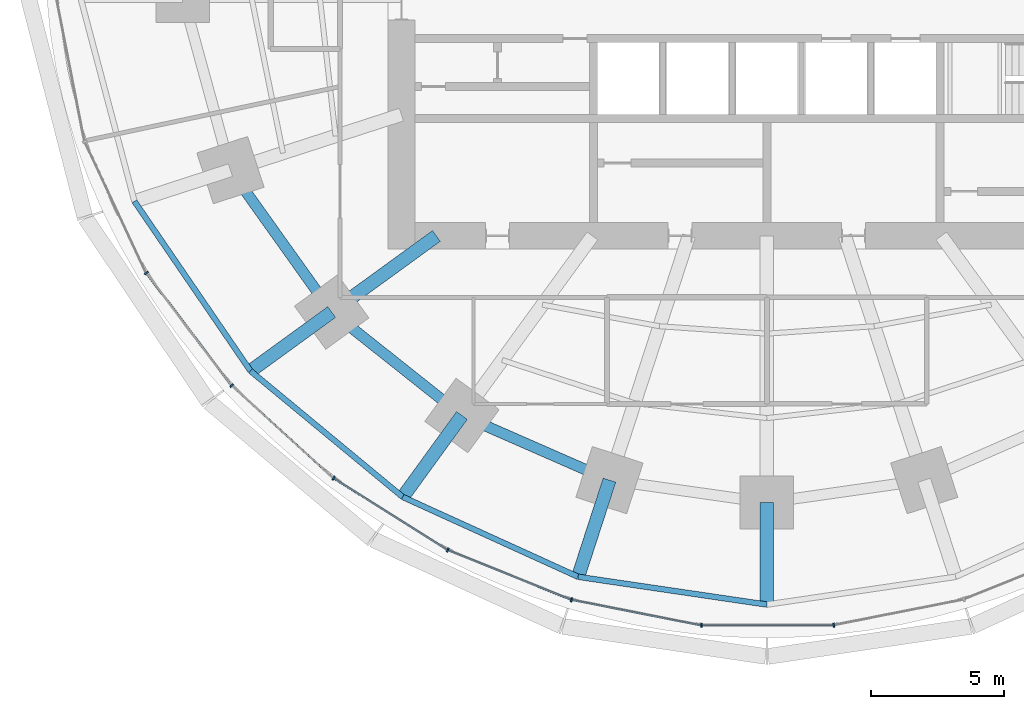
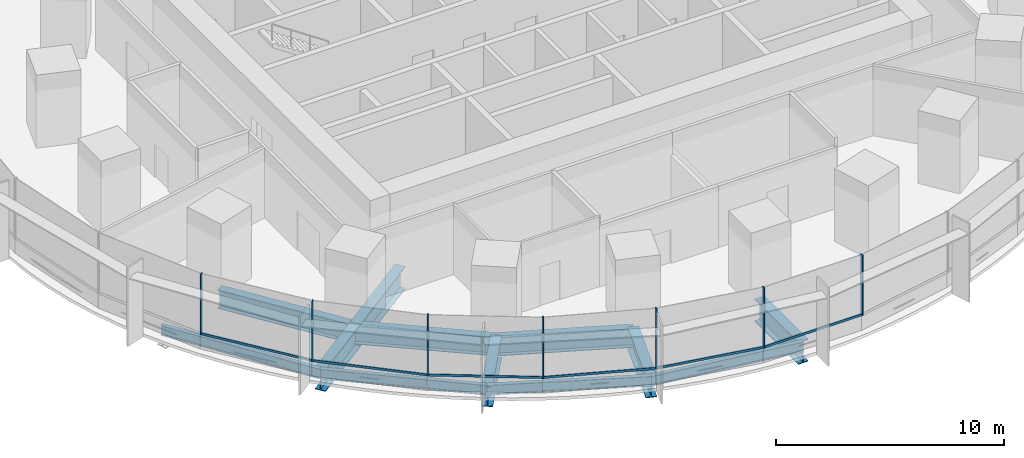
# One storey, part 2 of 15: 13 members, 12 beams, 2 elements without a shape of their own.
"""IFC4 building model written with IfcOpenShell, lengths in metres."""

from ifc_helpers import new_model, si_unit, direction, frame, origin, origin_2d, place, context, subcontext, project, spatial, rectangle, i_section, extrude, material, material_profile, profile_set, type_object, element, aggregate, save


model = new_model("IFC4")

# Units and contexts
model_context = context("Model", 3, precision=1e-05, world=origin(), true_north=direction((0.0, 1.0)))
body_context = subcontext(model_context, "Body", "Model", "MODEL_VIEW")
ifc_project = project(units=[si_unit("LENGTHUNIT", "METRE"), si_unit("AREAUNIT", "SQUARE_METRE"), si_unit("VOLUMEUNIT", "CUBIC_METRE"), si_unit("PLANEANGLEUNIT", "RADIAN"), si_unit("MASSUNIT", "GRAM", prefix="KILO")], contexts=[model_context])

# Site, building, storey
site_placement = place(None, origin())
site = spatial("IfcSite", under=ifc_project, at=site_placement, CompositionType="ELEMENT")
building_placement = place(site_placement, origin())
building = spatial("IfcBuilding", under=site, at=building_placement, Name="Marramba Exchange Tower", CompositionType="ELEMENT")
storey_placement = place(building_placement, frame((0.0, 0.0, 44.800048828125)))
storey = spatial("IfcBuildingStorey", under=building, at=storey_placement, Name="L10", CompositionType="ELEMENT", Elevation=44.800048828125)

# Beams
ifc_material_1 = material(Name="Steel AS/NZS 3679.2 grade 300", Category="steel")
ifc_material_profile_1 = material_profile(ifc_material_1, i_section(OverallWidth=0.5, OverallDepth=1.199951171875, WebThickness=0.01611328125, FlangeThickness=0.0400390625, at=origin_2d()), Name="1200WB455")
ifc_profile_set_1 = profile_set([ifc_material_profile_1], Name="Steel AS/NZS 3679.2 grade 300")
beam_type_1 = type_object("IfcBeamType", Name="Cantilever girder 1200WB455", PredefinedType="BEAM", material=ifc_profile_set_1)
beam_1_placement = place(storey_placement, frame((-16.3154296875, -11.853759765625, -0.760009765625), z_axis=(-0.809008346081, -0.587797155463, 0.0), x_axis=(0.587797155463, -0.809008346081, 0.0)))
element("IfcBeam", 1, at=beam_1_placement, inside=storey, type_object=beam_type_1, Name="Cantilever girder L10 TC13", PredefinedType="BEAM", context=body_context, shape_type="SweptSolid", body=[
    extrude(i_section(OverallWidth=0.5, OverallDepth=1.199951171875, WebThickness=0.01611328125, FlangeThickness=0.0400390625, at=origin_2d()), origin(), (0.0, 0.0, 1.0), 3.76025390625),
])
beam_2_placement = place(storey_placement, frame((-11.430419921875, -15.732666015625, -0.760009765625), z_axis=(-0.587787232741, -0.809015555491, 0.0), x_axis=(0.809015555491, -0.587787232741, 0.0)))
element("IfcBeam", 2, at=beam_2_placement, inside=storey, type_object=beam_type_1, Name="Cantilever girder L10 TC14", PredefinedType="BEAM", context=body_context, shape_type="SweptSolid", body=[
    extrude(i_section(OverallWidth=0.5, OverallDepth=1.199951171875, WebThickness=0.01611328125, FlangeThickness=0.0400390625, at=origin_2d()), origin(), (0.0, 0.0, 1.0), 3.7763671875),
])
beam_3_placement = place(storey_placement, frame((-5.899658203125, -18.156982421875, -0.760009765625), z_axis=(-0.309009272901, -0.951059025119, 0.0), x_axis=(0.951059025119, -0.309009272901, 0.0)))
element("IfcBeam", 3, at=beam_3_placement, inside=storey, type_object=beam_type_1, Name="Cantilever girder L10 TC15", PredefinedType="BEAM", context=body_context, shape_type="SweptSolid", body=[
    extrude(i_section(OverallWidth=0.5, OverallDepth=1.199951171875, WebThickness=0.01611328125, FlangeThickness=0.0400390625, at=origin_2d()), origin(), (0.0, 0.0, 1.0), 3.809814453125),
])
beam_4_placement = place(storey_placement, frame((0.0, -18.99609375, -0.760009765625), z_axis=(0.0, -1.0, 0.0), x_axis=(1.0, 0.0, 0.0)))
element("IfcBeam", 4, at=beam_4_placement, inside=storey, type_object=beam_type_1, Name="Cantilever girder L10 TC16", PredefinedType="BEAM", context=body_context, shape_type="SweptSolid", body=[
    extrude(i_section(OverallWidth=0.5, OverallDepth=1.199951171875, WebThickness=0.01611328125, FlangeThickness=0.0400390625, at=origin_2d()), origin(), (0.0, 0.0, 1.0), 3.825927734375),
])
ifc_material_profile_2 = material_profile(ifc_material_1, i_section(OverallWidth=0.5, OverallDepth=1.199951171875, WebThickness=0.01611328125, FlangeThickness=0.0400390625, at=origin_2d()), Name="1200WB455")
ifc_profile_set_2 = profile_set([ifc_material_profile_2], Name="Steel AS/NZS 3679.2 grade 300")
beam_type_2 = type_object("IfcBeamType", Name="Radial girder 1200WB455", PredefinedType="BEAM", material=ifc_profile_set_2)
beam_5_placement = place(storey_placement, frame((-12.387451171875, -9.0, -0.760009765625), z_axis=(-0.809025189606, -0.58777397236, 0.0), x_axis=(0.58777397236, -0.809025189606, 0.0)))
element("IfcBeam", 5, at=beam_5_placement, inside=storey, type_object=beam_type_2, Name="Radial girder L10 TC13", PredefinedType="BEAM", context=body_context, shape_type="SweptSolid", body=[
    extrude(i_section(OverallWidth=0.5, OverallDepth=1.199951171875, WebThickness=0.01611328125, FlangeThickness=0.0400390625, at=origin_2d()), origin(), (0.0, 0.0, 1.0), 4.855224609375),
])
ifc_material_profile_3 = material_profile(ifc_material_1, i_section(OverallWidth=0.39990234375, OverallDepth=1.0, WebThickness=0.01611328125, FlangeThickness=0.031982421875, at=origin_2d()), Name="1000WB322")
ifc_profile_set_3 = profile_set([ifc_material_profile_3], Name="Steel AS/NZS 3679.2 grade 300")
beam_type_3 = type_object("IfcBeamType", Name="Ring beam 1000WB322", PredefinedType="SPANDREL", material=ifc_profile_set_3)
beam_6_placement = place(storey_placement, frame((-20.109375, -6.533935546875, -0.66015625), z_axis=(0.580637181111, -0.814162430914, 0.0), x_axis=(0.814162430914, 0.580637181111, 0.0)))
element("IfcBeam", 6, at=beam_6_placement, inside=storey, type_object=beam_type_3, Name="Ring beam L10 TC12-TC13", PredefinedType="SPANDREL", context=body_context, shape_type="SweptSolid", body=[
    extrude(i_section(OverallWidth=0.39990234375, OverallDepth=1.0, WebThickness=0.01611328125, FlangeThickness=0.031982421875, at=origin_2d()), origin(), (0.0, 0.0, 1.0), 6.5341796875),
])
beam_7_placement = place(storey_placement, frame((-16.3154296875, -11.853759765625, -0.66015625), z_axis=(0.783139438128, -0.621846138887, 0.0), x_axis=(0.621846138887, 0.783139438128, 0.0)))
element("IfcBeam", 7, at=beam_7_placement, inside=storey, type_object=beam_type_3, Name="Ring beam L10 TC13-TC14", PredefinedType="SPANDREL", context=body_context, shape_type="SweptSolid", body=[
    extrude(i_section(OverallWidth=0.39990234375, OverallDepth=1.0, WebThickness=0.01611328125, FlangeThickness=0.031982421875, at=origin_2d()), origin(), (0.0, 0.0, 1.0), 6.23779296875),
])
beam_8_placement = place(storey_placement, frame((-11.430419921875, -15.732666015625, -0.66015625), z_axis=(0.915876892158, -0.4014592363, 0.0), x_axis=(0.4014592363, 0.915876892158, 0.0)))
element("IfcBeam", 8, at=beam_8_placement, inside=storey, type_object=beam_type_3, Name="Ring beam L10 TC14-TC15", PredefinedType="SPANDREL", context=body_context, shape_type="SweptSolid", body=[
    extrude(i_section(OverallWidth=0.39990234375, OverallDepth=1.0, WebThickness=0.01611328125, FlangeThickness=0.031982421875, at=origin_2d()), origin(), (0.0, 0.0, 1.0), 6.038818359375),
])
ifc_material_2 = material(Name="Steel AS/NZS 3679.1 grade 300", Category="steel")
ifc_material_profile_4 = material_profile(ifc_material_2, i_section(OverallWidth=0.208984375, OverallDepth=0.528076171875, WebThickness=0.009521484375, FlangeThickness=0.01318359375, FilletRadius=0.013916015625, at=origin_2d()), Name="530UB82.0")
ifc_profile_set_4 = profile_set([ifc_material_profile_4], Name="Steel AS/NZS 3679.1 grade 300")
beam_type_4 = type_object("IfcBeamType", Name="Slab edge beam 530UB82.0", PredefinedType="SPANDREL", material=ifc_profile_set_4)
beam_9_placement = place(storey_placement, frame((-23.709716796875, -7.703857421875, -0.424072265625), z_axis=(0.564740697285, -0.82526840775, 0.0), x_axis=(0.82526840775, 0.564740697285, 0.0)))
element("IfcBeam", 9, at=beam_9_placement, inside=storey, type_object=beam_type_4, Name="Slab edge beam L10 TC12-TC13", PredefinedType="SPANDREL", context=body_context, shape_type="SweptSolid", body=[
    extrude(i_section(OverallWidth=0.208984375, OverallDepth=0.528076171875, WebThickness=0.009521484375, FlangeThickness=0.01318359375, FilletRadius=0.013916015625, at=origin_2d()), origin(), (0.0, 0.0, 1.0), 7.706787109375),
])
beam_10_placement = place(storey_placement, frame((-19.357421875, -14.06396484375, -0.424072265625), z_axis=(0.770353575372, -0.637616945283, 0.0), x_axis=(0.637616945283, 0.770353575372, 0.0)))
element("IfcBeam", 10, at=beam_10_placement, inside=storey, type_object=beam_type_4, Name="Slab edge beam L10 TC13-TC14", PredefinedType="SPANDREL", context=body_context, shape_type="SweptSolid", body=[
    extrude(i_section(OverallWidth=0.208984375, OverallDepth=0.528076171875, WebThickness=0.009521484375, FlangeThickness=0.01318359375, FilletRadius=0.013916015625, at=origin_2d()), origin(), (0.0, 0.0, 1.0), 7.40869140625),
])
beam_11_placement = place(storey_placement, frame((-13.650146484375, -18.787841796875, -0.424072265625), z_axis=(0.910126690081, -0.414330071324, 0.0), x_axis=(0.414330071324, 0.910126690081, 0.0)))
element("IfcBeam", 11, at=beam_11_placement, inside=storey, type_object=beam_type_4, Name="Slab edge beam L10 TC14-TC15", PredefinedType="SPANDREL", context=body_context, shape_type="SweptSolid", body=[
    extrude(i_section(OverallWidth=0.208984375, OverallDepth=0.528076171875, WebThickness=0.009521484375, FlangeThickness=0.01318359375, FilletRadius=0.013916015625, at=origin_2d()), origin(), (0.0, 0.0, 1.0), 7.222412109375),
])
beam_12_placement = place(storey_placement, frame((-7.076904296875, -21.7802734375, -0.424072265625), z_axis=(0.989338462178, -0.145634498848, 0.0), x_axis=(0.145634498848, 0.989338462178, 0.0)))
element("IfcBeam", 12, at=beam_12_placement, inside=storey, type_object=beam_type_4, Name="Slab edge beam L10 TC15-TC16", PredefinedType="SPANDREL", context=body_context, shape_type="SweptSolid", body=[
    extrude(i_section(OverallWidth=0.208984375, OverallDepth=0.528076171875, WebThickness=0.009521484375, FlangeThickness=0.01318359375, FilletRadius=0.013916015625, at=origin_2d()), origin(), (0.0, 0.0, 1.0), 7.153076171875),
])

# Curtain wall, members
ifc_material_3 = material(Name="Aluminium framing, bronze anodised", Category="aluminium")
curtain_wall_type = type_object("IfcCurtainWallType", Name="Trading floor ribbon curtain wall", PredefinedType="USERDEFINED", material=ifc_material_3)
curtain_wall_1_placement = place(storey_placement, origin())
curtain_wall_1 = element("IfcCurtainWall", 13, at=curtain_wall_1_placement, inside=storey, type_object=curtain_wall_type, Name="Curtain wall CW3 L10 F16-F20", ObjectType="RIBBON CURTAIN WALL", PredefinedType="USERDEFINED")
ifc_material_4 = material(Name="Aluminium mullion, bronze anodised", Category="aluminium")
ifc_material_profile_5 = material_profile(ifc_material_4, rectangle(XDim=0.159912109375, YDim=0.06005859375, at=origin_2d()), Name="CW3 mullion 60x160")
ifc_profile_set_5 = profile_set([ifc_material_profile_5], Name="Aluminium mullion, bronze anodised")
member_type_1 = type_object("IfcMemberType", Name="Trading floor ribbon curtain wall mullion", PredefinedType="MULLION", material=ifc_profile_set_5)
member_1_placement = place(storey_placement, frame((-23.26318359375, -10.389404296875, 0.800048828125), z_axis=(0.0, 0.0, 1.0), x_axis=(0.797710591138, 0.603040473588, 0.0)))
member_1 = element("IfcMember", 14, at=member_1_placement, type_object=member_type_1, Name="CW3 mullion 1", PredefinedType="MULLION", context=body_context, shape_type="SweptSolid", body=[
    extrude(rectangle(XDim=0.159912109375, YDim=0.06005859375, at=origin_2d()), origin(), (0.0, 0.0, 1.0), 3.239990234375),
])
member_2_placement = place(storey_placement, frame((-20.063232421875, -14.61328125, 0.800048828125), z_axis=(0.0, 0.0, 1.0), x_axis=(0.673058133441, 0.739589581463, 0.0)))
member_2 = element("IfcMember", 15, at=member_2_placement, type_object=member_type_1, Name="CW3 mullion 1", PredefinedType="MULLION", context=body_context, shape_type="SweptSolid", body=[
    extrude(rectangle(XDim=0.159912109375, YDim=0.06005859375, at=origin_2d()), origin(), (0.0, 0.0, 1.0), 3.239990234375),
])
member_3_placement = place(storey_placement, frame((-16.242431640625, -18.083251953125, 0.800048828125), z_axis=(0.0, 0.0, 1.0), x_axis=(0.533514646612, 0.845790826298, 0.0)))
member_3 = element("IfcMember", 16, at=member_3_placement, type_object=member_type_1, Name="CW3 mullion 1", PredefinedType="MULLION", context=body_context, shape_type="SweptSolid", body=[
    extrude(rectangle(XDim=0.159912109375, YDim=0.06005859375, at=origin_2d()), origin(), (0.0, 0.0, 1.0), 3.239990234375),
])

curtain_wall_2_placement = place(storey_placement, origin())
curtain_wall_2 = element("IfcCurtainWall", 17, at=curtain_wall_2_placement, inside=storey, type_object=curtain_wall_type, Name="Curtain wall CW3 L10 F21-F25", ObjectType="RIBBON CURTAIN WALL", PredefinedType="USERDEFINED")
member_4_placement = place(storey_placement, frame((-11.96142578125, -20.77734375, 0.800048828125), z_axis=(0.0, 0.0, 1.0), x_axis=(0.374218219325, 0.927340673283, 0.0)))
member_4 = element("IfcMember", 18, at=member_4_placement, type_object=member_type_1, Name="CW3 mullion 1", PredefinedType="MULLION", context=body_context, shape_type="SweptSolid", body=[
    extrude(rectangle(XDim=0.159912109375, YDim=0.06005859375, at=origin_2d()), origin(), (0.0, 0.0, 1.0), 3.239990234375),
])
member_5_placement = place(storey_placement, frame((-7.325439453125, -22.64208984375, 0.800048828125), z_axis=(0.0, 0.0, 1.0), x_axis=(0.193961202977, 0.98100920064, 0.0)))
member_5 = element("IfcMember", 19, at=member_5_placement, type_object=member_type_1, Name="CW3 mullion 1", PredefinedType="MULLION", context=body_context, shape_type="SweptSolid", body=[
    extrude(rectangle(XDim=0.159912109375, YDim=0.06005859375, at=origin_2d()), origin(), (0.0, 0.0, 1.0), 3.239990234375),
])
member_6_placement = place(storey_placement, frame((-2.450439453125, -23.599853515625, 0.800048828125), z_axis=(0.0, 0.0, 1.0), x_axis=(0.0, 1.0, 0.0)))
member_6 = element("IfcMember", 20, at=member_6_placement, type_object=member_type_1, Name="CW3 mullion 1", PredefinedType="MULLION", context=body_context, shape_type="SweptSolid", body=[
    extrude(rectangle(XDim=0.159912109375, YDim=0.06005859375, at=origin_2d()), origin(), (0.0, 0.0, 1.0), 3.239990234375),
])
member_7_placement = place(storey_placement, frame((2.509765625, -23.59423828125, 0.800048828125), z_axis=(0.0, 0.0, 1.0), x_axis=(-0.193961202977, 0.98100920064, 0.0)))
member_7 = element("IfcMember", 21, at=member_7_placement, type_object=member_type_1, Name="CW3 mullion 1", PredefinedType="MULLION", context=body_context, shape_type="SweptSolid", body=[
    extrude(rectangle(XDim=0.159912109375, YDim=0.06005859375, at=origin_2d()), origin(), (0.0, 0.0, 1.0), 3.239990234375),
])

# Member
ifc_material_5 = material(Name="Aluminium transom, bronze anodised", Category="aluminium")
ifc_material_profile_6 = material_profile(ifc_material_5, rectangle(XDim=0.06005859375, YDim=0.1201171875, at=origin_2d()), Name="CW3 transom 60x120")
ifc_profile_set_6 = profile_set([ifc_material_profile_6], Name="Aluminium transom, bronze anodised")
member_type_2 = type_object("IfcMemberType", Name="Trading floor ribbon curtain wall transom", PredefinedType="USERDEFINED", material=ifc_profile_set_6)
member_8_placement = place(storey_placement, frame((-23.2451171875, -10.413330078125, 0.829833984375), z_axis=(0.603037409419, -0.797712907531, 0.0), x_axis=(0.797712907531, 0.603037409419, 0.0)))
member_8 = element("IfcMember", 22, at=member_8_placement, type_object=member_type_2, Name="CW3 sill transom", ObjectType="TRANSOM", PredefinedType="USERDEFINED", context=body_context, shape_type="SweptSolid", body=[
    extrude(rectangle(XDim=0.06005859375, YDim=0.1201171875, at=origin_2d()), origin(), (0.0, 0.0, 1.0), 5.239501953125),
])

member_9_placement = place(storey_placement, frame((-20.041015625, -14.63330078125, 0.829833984375), z_axis=(0.739582688456, -0.673065707741, 0.0), x_axis=(0.673065707741, 0.739582688456, 0.0)))
member_9 = element("IfcMember", 23, at=member_9_placement, type_object=member_type_2, Name="CW3 sill transom", ObjectType="TRANSOM", PredefinedType="USERDEFINED", context=body_context, shape_type="SweptSolid", body=[
    extrude(rectangle(XDim=0.06005859375, YDim=0.1201171875, at=origin_2d()), origin(), (0.0, 0.0, 1.0), 5.101806640625),
])

member_10_placement = place(storey_placement, frame((-16.217041015625, -18.09912109375, 0.829833984375), z_axis=(0.845776602594, -0.533537195053, 0.0), x_axis=(0.533537195053, 0.845776602594, 0.0)))
member_10 = element("IfcMember", 24, at=member_10_placement, type_object=member_type_2, Name="CW3 sill transom", ObjectType="TRANSOM", PredefinedType="USERDEFINED", context=body_context, shape_type="SweptSolid", body=[
    extrude(rectangle(XDim=0.06005859375, YDim=0.1201171875, at=origin_2d()), origin(), (0.0, 0.0, 1.0), 4.998779296875),
])

aggregate(curtain_wall_1, [member_1, member_8, member_2, member_9, member_3, member_10])

member_11_placement = place(storey_placement, frame((-11.93359375, -20.78857421875, 0.829833984375), z_axis=(0.927340197166, -0.374219399176, 0.0), x_axis=(0.374219399176, 0.927340197166, 0.0)))
member_11 = element("IfcMember", 25, at=member_11_placement, type_object=member_type_2, Name="CW3 sill transom", ObjectType="TRANSOM", PredefinedType="USERDEFINED", context=body_context, shape_type="SweptSolid", body=[
    extrude(rectangle(XDim=0.06005859375, YDim=0.1201171875, at=origin_2d()), origin(), (0.0, 0.0, 1.0), 4.937255859375),
])

member_12_placement = place(storey_placement, frame((-7.296142578125, -22.64794921875, 0.829833984375), z_axis=(0.981018169547, -0.193915834883, 0.0), x_axis=(0.193915834883, 0.981018169547, 0.0)))
member_12 = element("IfcMember", 26, at=member_12_placement, type_object=member_type_2, Name="CW3 sill transom", ObjectType="TRANSOM", PredefinedType="USERDEFINED", context=body_context, shape_type="SweptSolid", body=[
    extrude(rectangle(XDim=0.06005859375, YDim=0.1201171875, at=origin_2d()), origin(), (0.0, 0.0, 1.0), 4.908935546875),
])

member_13_placement = place(storey_placement, frame((-2.42041015625, -23.599853515625, 0.829833984375), z_axis=(1.0, 0.0, 0.0), x_axis=(0.0, 1.0, 0.0)))
member_13 = element("IfcMember", 27, at=member_13_placement, type_object=member_type_2, Name="CW3 sill transom", ObjectType="TRANSOM", PredefinedType="USERDEFINED", context=body_context, shape_type="SweptSolid", body=[
    extrude(rectangle(XDim=0.06005859375, YDim=0.1201171875, at=origin_2d()), origin(), (0.0, 0.0, 1.0), 4.90087890625),
])

aggregate(curtain_wall_2, [member_4, member_11, member_5, member_12, member_6, member_13, member_7])

save(model, "model.ifc")
